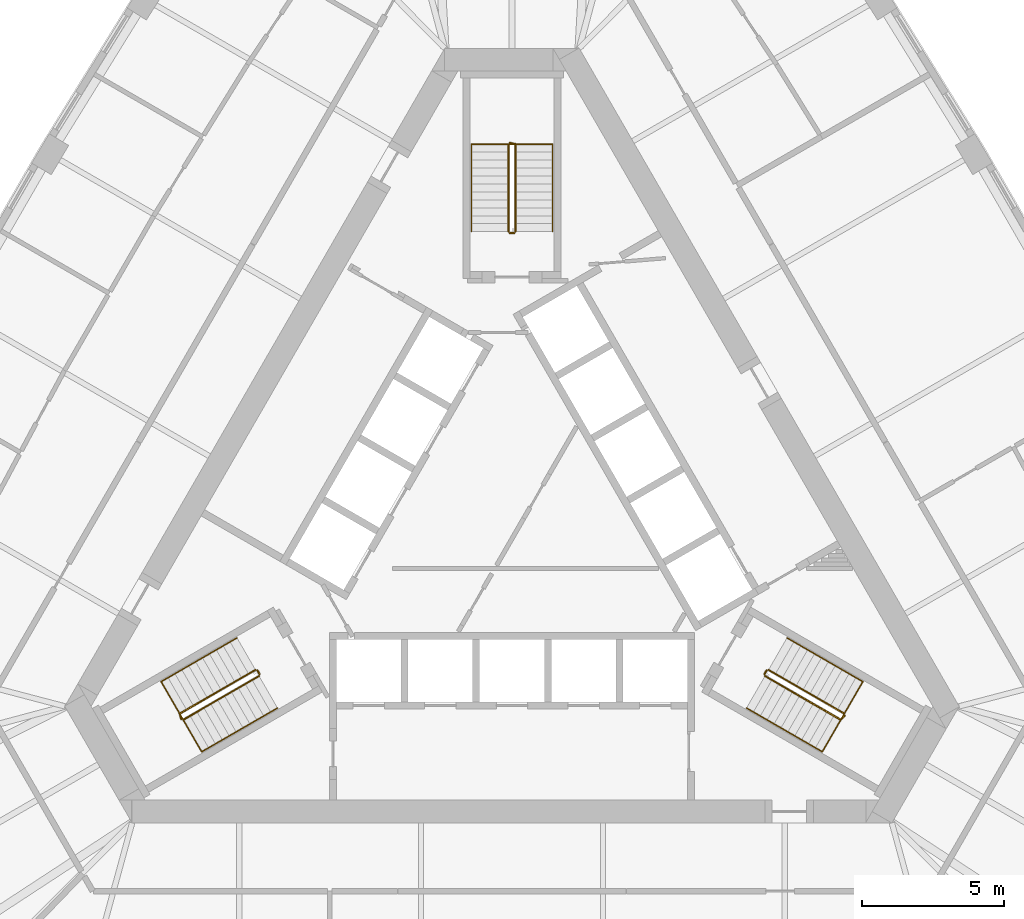
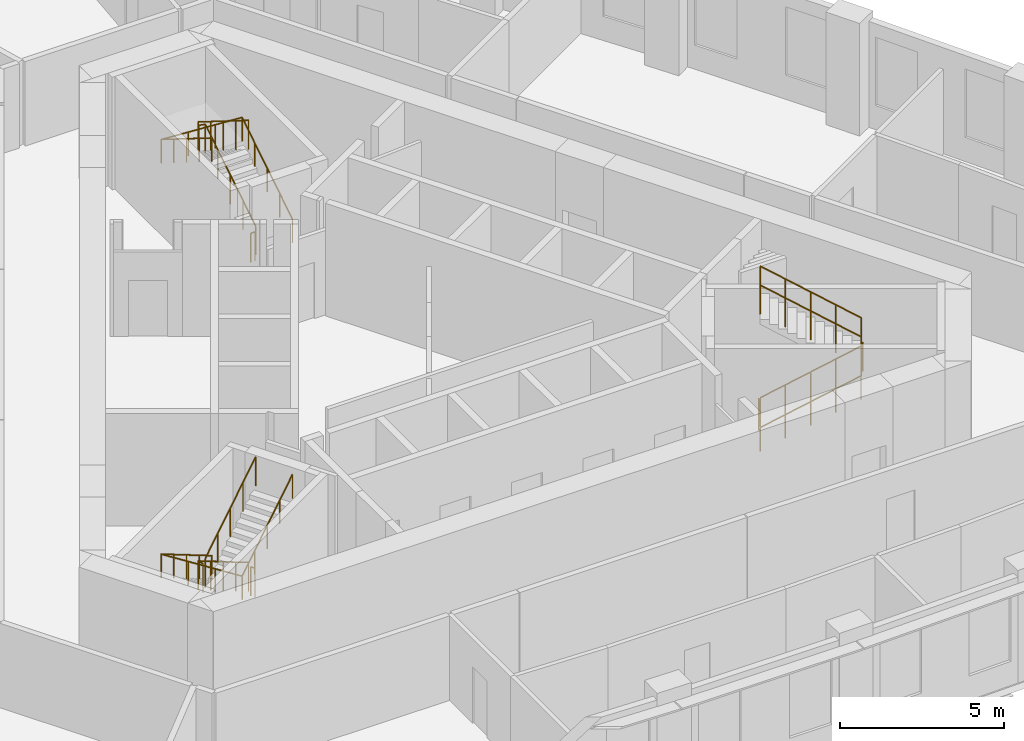
# One storey, part 11 of 11: 12 railings.
"""IFC4 building model written with IfcOpenShell, lengths in metres."""

from ifc_helpers import new_model, si_unit, direction, frame, origin, origin_2d, place, context, subcontext, project, spatial, circle, extrude, material, type_object, element, save


model = new_model("IFC4")

# Units and contexts
model_context = context("Model", 3, precision=1e-05, world=origin(), true_north=direction((0.0, 1.0)))
body_context = subcontext(model_context, "Body", "Model", "MODEL_VIEW")
ifc_project = project(units=[si_unit("LENGTHUNIT", "METRE"), si_unit("AREAUNIT", "SQUARE_METRE"), si_unit("VOLUMEUNIT", "CUBIC_METRE"), si_unit("PLANEANGLEUNIT", "RADIAN"), si_unit("MASSUNIT", "GRAM", prefix="KILO")], contexts=[model_context])

# Site, building, storey
site_placement = place(None, origin())
site = spatial("IfcSite", under=ifc_project, at=site_placement, CompositionType="ELEMENT")
building_placement = place(site_placement, origin())
building = spatial("IfcBuilding", under=site, at=building_placement, Name="Mestral Congress Tower", CompositionType="ELEMENT")
storey_placement = place(building_placement, frame((0.0, 0.0, 175.199951171875)))
storey = spatial("IfcBuildingStorey", under=building, at=storey_placement, Name="L41", CompositionType="ELEMENT", Elevation=175.199951171875)

# Railings
ifc_material_1 = material(Name="Steel balustrade", Category="steel")
railing_type_1 = type_object("IfcRailingType", Name="Stair guard 1100", PredefinedType="GUARDRAIL", material=ifc_material_1)
railing_1_placement = place(storey_placement, frame((8.90087890625, -5.283203125, 0.175048828125)))
element("IfcRailing", 1, at=railing_1_placement, inside=storey, type_object=railing_type_1, Name="L41 ST1 stair guard 1", PredefinedType="GUARDRAIL", context=body_context, shape_type="SweptSolid", body=[
    extrude(circle(Radius=0.02392578125, at=origin_2d()), frame((0.0, 0.0, 1.076171875), z_axis=(0.734364028329, -0.424015404183, 0.530019255228), x_axis=(0.500026652407, 0.866010015463, 0.0)), (0.0, 0.0, 1.0), 3.632080078125),
    extrude(circle(Radius=0.02392578125, at=origin_2d()), frame((2.667236328125, -1.5400390625, 3.0009765625), z_axis=(0.695164929852, 0.718850276695, 0.0), x_axis=(-0.718850276695, 0.695164929852, 0.0)), (0.0, 0.0, 1.0), 0.2060546875),
    extrude(circle(Radius=0.02099609375, at=origin_2d()), origin(), (0.0, 0.0, 1.0), 1.052001953125),
    extrude(circle(Radius=0.02099609375, at=origin_2d()), frame((0.666748046875, -0.385009765625, 0.481201171875)), (0.0, 0.0, 1.0), 1.052001953125),
    extrude(circle(Radius=0.02099609375, at=origin_2d()), frame((1.33349609375, -0.77001953125, 0.96240234375)), (0.0, 0.0, 1.0), 1.052001953125),
    extrude(circle(Radius=0.02099609375, at=origin_2d()), frame((2.00048828125, -1.155029296875, 1.44384765625)), (0.0, 0.0, 1.0), 1.052001953125),
    extrude(circle(Radius=0.02099609375, at=origin_2d()), frame((2.667236328125, -1.5400390625, 1.925048828125)), (0.0, 0.0, 1.0), 1.052001953125),
    extrude(circle(Radius=0.02099609375, at=origin_2d()), frame((2.810546875, -1.391845703125, 1.925048828125)), (0.0, 0.0, 1.0), 1.052001953125),
])
railing_2_placement = place(storey_placement, frame((11.693115234375, -6.606689453125, 2.275146484375)))
element("IfcRailing", 2, at=railing_2_placement, inside=storey, type_object=railing_type_1, Name="L41 ST1 stair guard 2", PredefinedType="GUARDRAIL", context=body_context, shape_type="SweptSolid", body=[
    extrude(circle(Radius=0.02392578125, at=origin_2d()), frame((0.0, 0.0, 1.076171875), z_axis=(-0.734390191396, 0.42403051051, 0.529970917068), x_axis=(-0.500026652407, -0.866010015463, 0.0)), (0.0, 0.0, 1.0), 3.6318359375),
    extrude(circle(Radius=0.02099609375, at=origin_2d()), origin(), (0.0, 0.0, 1.0), 1.052001953125),
    extrude(circle(Radius=0.02099609375, at=origin_2d()), frame((-0.666748046875, 0.385009765625, 0.481201171875)), (0.0, 0.0, 1.0), 1.052001953125),
    extrude(circle(Radius=0.02099609375, at=origin_2d()), frame((-1.33349609375, 0.77001953125, 0.96240234375)), (0.0, 0.0, 1.0), 1.052001953125),
    extrude(circle(Radius=0.02099609375, at=origin_2d()), frame((-2.00048828125, 1.155029296875, 1.443603515625)), (0.0, 0.0, 1.0), 1.052001953125),
    extrude(circle(Radius=0.02099609375, at=origin_2d()), frame((-2.667236328125, 1.5400390625, 1.9248046875)), (0.0, 0.0, 1.0), 1.052001953125),
])
railing_3_placement = place(storey_placement, frame((8.882568359375, -5.21484375, 0.0)))
element("IfcRailing", 3, at=railing_3_placement, inside=storey, type_object=railing_type_1, Name="L41 ST1 stair guard 3", PredefinedType="GUARDRAIL", context=body_context, shape_type="SweptSolid", body=[
    extrude(circle(Radius=0.02392578125, at=origin_2d()), frame((0.0, 0.0, 1.076171875), z_axis=(0.499816412211, 0.866131372301, 0.0), x_axis=(-0.866131372301, 0.499816412211, 0.0)), (0.0, 0.0, 1.0), 0.14990234375),
    extrude(circle(Radius=0.02099609375, at=origin_2d()), origin(), (0.0, 0.0, 1.0), 1.052001953125),
    extrude(circle(Radius=0.02099609375, at=origin_2d()), frame((0.074951171875, 0.1298828125, 0.0)), (0.0, 0.0, 1.0), 1.052001953125),
])
railing_4_placement = place(storey_placement, frame((0.125, 10.35009765625, 0.175048828125)))
element("IfcRailing", 4, at=railing_4_placement, inside=storey, type_object=railing_type_1, Name="L41 ST2 stair guard 1", PredefinedType="GUARDRAIL", context=body_context, shape_type="SweptSolid", body=[
    extrude(circle(Radius=0.02392578125, at=origin_2d()), frame((0.0, 0.0, 1.076171875), z_axis=(0.0, 0.847979421464, 0.530029150871), x_axis=(-1.0, 0.0, 0.0)), (0.0, 0.0, 1.0), 3.632080078125),
    extrude(circle(Radius=0.02392578125, at=origin_2d()), frame((0.0, 3.079833984375, 3.0009765625), z_axis=(-0.970072785993, 0.242814311512, 0.0), x_axis=(-0.242814311512, -0.970072785993, 0.0)), (0.0, 0.0, 1.0), 0.2060546875),
    extrude(circle(Radius=0.02099609375, at=origin_2d()), origin(), (0.0, 0.0, 1.0), 1.052001953125),
    extrude(circle(Radius=0.02099609375, at=origin_2d()), frame((0.0, 0.77001953125, 0.481201171875)), (0.0, 0.0, 1.0), 1.052001953125),
    extrude(circle(Radius=0.02099609375, at=origin_2d()), frame((0.0, 1.5400390625, 0.96240234375)), (0.0, 0.0, 1.0), 1.052001953125),
    extrude(circle(Radius=0.02099609375, at=origin_2d()), frame((0.0, 2.309814453125, 1.44384765625)), (0.0, 0.0, 1.0), 1.052001953125),
    extrude(circle(Radius=0.02099609375, at=origin_2d()), frame((0.0, 3.079833984375, 1.925048828125)), (0.0, 0.0, 1.0), 1.052001953125),
    extrude(circle(Radius=0.02099609375, at=origin_2d()), frame((-0.199951171875, 3.1298828125, 1.925048828125)), (0.0, 0.0, 1.0), 1.052001953125),
])
railing_5_placement = place(storey_placement, frame((-0.125, 13.429931640625, 2.275146484375)))
element("IfcRailing", 5, at=railing_5_placement, inside=storey, type_object=railing_type_1, Name="L41 ST2 stair guard 2", PredefinedType="GUARDRAIL", context=body_context, shape_type="SweptSolid", body=[
    extrude(circle(Radius=0.02392578125, at=origin_2d()), frame((0.0, 0.0, 1.076171875), z_axis=(0.0, -0.848009633417, 0.529980812513), x_axis=(1.0, 0.0, 0.0)), (0.0, 0.0, 1.0), 3.6318359375),
    extrude(circle(Radius=0.02099609375, at=origin_2d()), origin(), (0.0, 0.0, 1.0), 1.052001953125),
    extrude(circle(Radius=0.02099609375, at=origin_2d()), frame((0.0, -0.77001953125, 0.481201171875)), (0.0, 0.0, 1.0), 1.052001953125),
    extrude(circle(Radius=0.02099609375, at=origin_2d()), frame((0.0, -1.5400390625, 0.96240234375)), (0.0, 0.0, 1.0), 1.052001953125),
    extrude(circle(Radius=0.02099609375, at=origin_2d()), frame((0.0, -2.309814453125, 1.443603515625)), (0.0, 0.0, 1.0), 1.052001953125),
    extrude(circle(Radius=0.02099609375, at=origin_2d()), frame((0.0, -3.079833984375, 1.9248046875)), (0.0, 0.0, 1.0), 1.052001953125),
])
railing_6_placement = place(storey_placement, frame((0.074951171875, 10.300048828125, 0.0)))
element("IfcRailing", 6, at=railing_6_placement, inside=storey, type_object=railing_type_1, Name="L41 ST2 stair guard 3", PredefinedType="GUARDRAIL", context=body_context, shape_type="SweptSolid", body=[
    extrude(circle(Radius=0.02392578125, at=origin_2d()), frame((0.0, 0.0, 1.076171875), z_axis=(-1.0, 0.0, 0.0), x_axis=(0.0, -1.0, 0.0)), (0.0, 0.0, 1.0), 0.14990234375),
    extrude(circle(Radius=0.02099609375, at=origin_2d()), origin(), (0.0, 0.0, 1.0), 1.052001953125),
    extrude(circle(Radius=0.02099609375, at=origin_2d()), frame((-0.14990234375, 0.0, 0.0)), (0.0, 0.0, 1.0), 1.052001953125),
])
railing_7_placement = place(storey_placement, frame((-9.02587890625, -5.066650390625, 0.175048828125)))
element("IfcRailing", 7, at=railing_7_placement, inside=storey, type_object=railing_type_1, Name="L41 ST3 stair guard 1", PredefinedType="GUARDRAIL", context=body_context, shape_type="SweptSolid", body=[
    extrude(circle(Radius=0.02392578125, at=origin_2d()), frame((0.0, 0.0, 1.076171875), z_axis=(-0.734364028329, -0.424015404183, 0.530019255228), x_axis=(0.500026652407, -0.866010015463, 0.0)), (0.0, 0.0, 1.0), 3.632080078125),
    extrude(circle(Radius=0.02392578125, at=origin_2d()), frame((-2.667236328125, -1.5400390625, 3.0009765625), z_axis=(0.274721127897, -0.961523947641, 0.0), x_axis=(0.961523947641, 0.274721127897, 0.0)), (0.0, 0.0, 1.0), 0.2060546875),
    extrude(circle(Radius=0.02099609375, at=origin_2d()), origin(), (0.0, 0.0, 1.0), 1.052001953125),
    extrude(circle(Radius=0.02099609375, at=origin_2d()), frame((-0.666748046875, -0.385009765625, 0.481201171875)), (0.0, 0.0, 1.0), 1.052001953125),
    extrude(circle(Radius=0.02099609375, at=origin_2d()), frame((-1.33349609375, -0.77001953125, 0.96240234375)), (0.0, 0.0, 1.0), 1.052001953125),
    extrude(circle(Radius=0.02099609375, at=origin_2d()), frame((-2.00048828125, -1.155029296875, 1.44384765625)), (0.0, 0.0, 1.0), 1.052001953125),
    extrude(circle(Radius=0.02099609375, at=origin_2d()), frame((-2.667236328125, -1.5400390625, 1.925048828125)), (0.0, 0.0, 1.0), 1.052001953125),
    extrude(circle(Radius=0.02099609375, at=origin_2d()), frame((-2.610595703125, -1.73828125, 1.925048828125)), (0.0, 0.0, 1.0), 1.052001953125),
])
railing_8_placement = place(storey_placement, frame((-11.568115234375, -6.8232421875, 2.275146484375)))
element("IfcRailing", 8, at=railing_8_placement, inside=storey, type_object=railing_type_1, Name="L41 ST3 stair guard 2", PredefinedType="GUARDRAIL", context=body_context, shape_type="SweptSolid", body=[
    extrude(circle(Radius=0.02392578125, at=origin_2d()), frame((0.0, 0.0, 1.076171875), z_axis=(0.734390191396, 0.42403051051, 0.529970917068), x_axis=(-0.500026652407, 0.866010015463, 0.0)), (0.0, 0.0, 1.0), 3.6318359375),
    extrude(circle(Radius=0.02099609375, at=origin_2d()), origin(), (0.0, 0.0, 1.0), 1.052001953125),
    extrude(circle(Radius=0.02099609375, at=origin_2d()), frame((0.666748046875, 0.385009765625, 0.481201171875)), (0.0, 0.0, 1.0), 1.052001953125),
    extrude(circle(Radius=0.02099609375, at=origin_2d()), frame((1.33349609375, 0.77001953125, 0.96240234375)), (0.0, 0.0, 1.0), 1.052001953125),
    extrude(circle(Radius=0.02099609375, at=origin_2d()), frame((2.00048828125, 1.155029296875, 1.443603515625)), (0.0, 0.0, 1.0), 1.052001953125),
    extrude(circle(Radius=0.02099609375, at=origin_2d()), frame((2.667236328125, 1.5400390625, 1.9248046875)), (0.0, 0.0, 1.0), 1.052001953125),
])
railing_9_placement = place(storey_placement, frame((-8.95751953125, -5.0849609375, 0.0)))
element("IfcRailing", 9, at=railing_9_placement, inside=storey, type_object=railing_type_1, Name="L41 ST3 stair guard 3", PredefinedType="GUARDRAIL", context=body_context, shape_type="SweptSolid", body=[
    extrude(circle(Radius=0.02392578125, at=origin_2d()), frame((0.0, 0.0, 1.076171875), z_axis=(0.499816412211, -0.866131372301, 0.0), x_axis=(0.866131372301, 0.499816412211, 0.0)), (0.0, 0.0, 1.0), 0.14990234375),
    extrude(circle(Radius=0.02099609375, at=origin_2d()), origin(), (0.0, 0.0, 1.0), 1.052001953125),
    extrude(circle(Radius=0.02099609375, at=origin_2d()), frame((0.074951171875, -0.1298828125, 0.0)), (0.0, 0.0, 1.0), 1.052001953125),
])
ifc_material_2 = material(Name="Steel handrail", Category="steel")
railing_type_2 = type_object("IfcRailingType", Name="Stair handrail 900", PredefinedType="HANDRAIL", material=ifc_material_2)
railing_10_placement = place(storey_placement, frame((8.2509765625, -6.4091796875, 0.175048828125)))
element("IfcRailing", 10, at=railing_10_placement, inside=storey, type_object=railing_type_2, Name="L41 ST1 stair handrail 1", PredefinedType="HANDRAIL", context=body_context, shape_type="SweptSolid", body=[
    extrude(circle(Radius=0.02392578125, at=origin_2d()), frame((0.0, 0.0, 0.8759765625), z_axis=(0.734384958227, -0.423960268333, 0.530034361155), x_axis=(0.499967199496, 0.866044340336, 0.0)), (0.0, 0.0, 1.0), 3.6318359375),
    extrude(circle(Radius=0.02392578125, at=origin_2d()), frame((2.667236328125, -1.539794921875, 2.80078125), z_axis=(0.499095769026, 0.864375386171, 0.061307463833), x_axis=(-0.866004402611, 0.500036373335, 0.0)), (0.0, 0.0, 1.0), 2.855224609375),
    extrude(circle(Radius=0.02392578125, at=origin_2d()), frame((4.09228515625, 0.92822265625, 2.97607421875), z_axis=(-0.734421155904, 0.424009578203, 0.529944755001), x_axis=(-0.499992328818, -0.866029832698, 0.0)), (0.0, 0.0, 1.0), 3.632080078125),
    extrude(circle(Radius=0.02099609375, at=origin_2d()), origin(), (0.0, 0.0, 1.0), 0.851806640625),
    extrude(circle(Radius=0.02099609375, at=origin_2d()), frame((0.666748046875, -0.385009765625, 0.481201171875)), (0.0, 0.0, 1.0), 0.851806640625),
    extrude(circle(Radius=0.02099609375, at=origin_2d()), frame((1.33349609375, -0.77001953125, 0.96240234375)), (0.0, 0.0, 1.0), 0.851806640625),
    extrude(circle(Radius=0.02099609375, at=origin_2d()), frame((2.00048828125, -1.15478515625, 1.44384765625)), (0.0, 0.0, 1.0), 0.851806640625),
    extrude(circle(Radius=0.02099609375, at=origin_2d()), frame((2.667236328125, -1.539794921875, 1.925048828125)), (0.0, 0.0, 1.0), 0.851806640625),
    extrude(circle(Radius=0.02099609375, at=origin_2d()), frame((3.142333984375, -0.717041015625, 1.9833984375)), (0.0, 0.0, 1.0), 0.851806640625),
    extrude(circle(Radius=0.02099609375, at=origin_2d()), frame((3.6171875, 0.10546875, 2.041748046875)), (0.0, 0.0, 1.0), 0.851806640625),
    extrude(circle(Radius=0.02099609375, at=origin_2d()), frame((4.09228515625, 0.92822265625, 2.10009765625)), (0.0, 0.0, 1.0), 0.851806640625),
    extrude(circle(Radius=0.02099609375, at=origin_2d()), frame((3.42529296875, 1.313232421875, 2.581298828125)), (0.0, 0.0, 1.0), 0.851806640625),
    extrude(circle(Radius=0.02099609375, at=origin_2d()), frame((2.758544921875, 1.6982421875, 3.0625)), (0.0, 0.0, 1.0), 0.851806640625),
    extrude(circle(Radius=0.02099609375, at=origin_2d()), frame((2.091796875, 2.083251953125, 3.543701171875)), (0.0, 0.0, 1.0), 0.851806640625),
    extrude(circle(Radius=0.02099609375, at=origin_2d()), frame((1.4248046875, 2.46826171875, 4.02490234375)), (0.0, 0.0, 1.0), 0.851806640625),
])
railing_11_placement = place(storey_placement, frame((1.425048828125, 10.35009765625, 0.175048828125)))
element("IfcRailing", 11, at=railing_11_placement, inside=storey, type_object=railing_type_2, Name="L41 ST2 stair handrail 1", PredefinedType="HANDRAIL", context=body_context, shape_type="SweptSolid", body=[
    extrude(circle(Radius=0.02392578125, at=origin_2d()), frame((0.0, 0.0, 0.8759765625), z_axis=(0.0, 0.847979421464, 0.530029150871), x_axis=(-1.0, 0.0, 0.0)), (0.0, 0.0, 1.0), 3.632080078125),
    extrude(circle(Radius=0.02392578125, at=origin_2d()), frame((0.0, 3.079833984375, 2.80078125), z_axis=(-0.998119201106, 0.0, 0.061303021003), x_axis=(0.0, -1.0, 0.0)), (0.0, 0.0, 1.0), 2.85546875),
    extrude(circle(Radius=0.02392578125, at=origin_2d()), frame((-2.85009765625, 3.079833984375, 2.97607421875), z_axis=(0.0, -0.848009633417, 0.529980812513), x_axis=(1.0, 0.0, 0.0)), (0.0, 0.0, 1.0), 3.6318359375),
    extrude(circle(Radius=0.02099609375, at=origin_2d()), origin(), (0.0, 0.0, 1.0), 0.851806640625),
    extrude(circle(Radius=0.02099609375, at=origin_2d()), frame((0.0, 0.77001953125, 0.481201171875)), (0.0, 0.0, 1.0), 0.851806640625),
    extrude(circle(Radius=0.02099609375, at=origin_2d()), frame((0.0, 1.5400390625, 0.96240234375)), (0.0, 0.0, 1.0), 0.851806640625),
    extrude(circle(Radius=0.02099609375, at=origin_2d()), frame((0.0, 2.309814453125, 1.44384765625)), (0.0, 0.0, 1.0), 0.851806640625),
    extrude(circle(Radius=0.02099609375, at=origin_2d()), frame((0.0, 3.079833984375, 1.925048828125)), (0.0, 0.0, 1.0), 0.851806640625),
    extrude(circle(Radius=0.02099609375, at=origin_2d()), frame((-0.949951171875, 3.079833984375, 1.9833984375)), (0.0, 0.0, 1.0), 0.851806640625),
    extrude(circle(Radius=0.02099609375, at=origin_2d()), frame((-1.900146484375, 3.079833984375, 2.041748046875)), (0.0, 0.0, 1.0), 0.851806640625),
    extrude(circle(Radius=0.02099609375, at=origin_2d()), frame((-2.85009765625, 3.079833984375, 2.10009765625)), (0.0, 0.0, 1.0), 0.851806640625),
    extrude(circle(Radius=0.02099609375, at=origin_2d()), frame((-2.85009765625, 2.309814453125, 2.581298828125)), (0.0, 0.0, 1.0), 0.851806640625),
    extrude(circle(Radius=0.02099609375, at=origin_2d()), frame((-2.85009765625, 1.5400390625, 3.0625)), (0.0, 0.0, 1.0), 0.851806640625),
    extrude(circle(Radius=0.02099609375, at=origin_2d()), frame((-2.85009765625, 0.77001953125, 3.543701171875)), (0.0, 0.0, 1.0), 0.851806640625),
    extrude(circle(Radius=0.02099609375, at=origin_2d()), frame((-2.85009765625, 0.0, 4.02490234375)), (0.0, 0.0, 1.0), 0.851806640625),
])
railing_12_placement = place(storey_placement, frame((-9.67578125, -3.94091796875, 0.175048828125)))
element("IfcRailing", 12, at=railing_12_placement, inside=storey, type_object=railing_type_2, Name="L41 ST3 stair handrail 1", PredefinedType="HANDRAIL", context=body_context, shape_type="SweptSolid", body=[
    extrude(circle(Radius=0.02392578125, at=origin_2d()), frame((0.0, 0.0, 0.8759765625), z_axis=(-0.734394994316, -0.423994474112, 0.52999309264), x_axis=(0.499992328818, -0.866029832698, 0.0)), (0.0, 0.0, 1.0), 3.63232421875),
    extrude(circle(Radius=0.02392578125, at=origin_2d()), frame((-2.66748046875, -1.5400390625, 2.80078125), z_axis=(0.499095769026, -0.864375386171, 0.061307463833), x_axis=(0.866004402611, 0.500036373335, 0.0)), (0.0, 0.0, 1.0), 2.855224609375),
    extrude(circle(Radius=0.02392578125, at=origin_2d()), frame((-1.242431640625, -4.008056640625, 2.97607421875), z_axis=(0.734411123532, 0.423975373557, 0.529986022693), x_axis=(-0.499967199496, 0.866044340336, 0.0)), (0.0, 0.0, 1.0), 3.6318359375),
    extrude(circle(Radius=0.02099609375, at=origin_2d()), origin(), (0.0, 0.0, 1.0), 0.851806640625),
    extrude(circle(Radius=0.02099609375, at=origin_2d()), frame((-0.6669921875, -0.385009765625, 0.481201171875)), (0.0, 0.0, 1.0), 0.851806640625),
    extrude(circle(Radius=0.02099609375, at=origin_2d()), frame((-1.333740234375, -0.77001953125, 0.96240234375)), (0.0, 0.0, 1.0), 0.851806640625),
    extrude(circle(Radius=0.02099609375, at=origin_2d()), frame((-2.00048828125, -1.155029296875, 1.44384765625)), (0.0, 0.0, 1.0), 0.851806640625),
    extrude(circle(Radius=0.02099609375, at=origin_2d()), frame((-2.66748046875, -1.5400390625, 1.925048828125)), (0.0, 0.0, 1.0), 0.851806640625),
    extrude(circle(Radius=0.02099609375, at=origin_2d()), frame((-2.1923828125, -2.36279296875, 1.9833984375)), (0.0, 0.0, 1.0), 0.851806640625),
    extrude(circle(Radius=0.02099609375, at=origin_2d()), frame((-1.717529296875, -3.185302734375, 2.041748046875)), (0.0, 0.0, 1.0), 0.851806640625),
    extrude(circle(Radius=0.02099609375, at=origin_2d()), frame((-1.242431640625, -4.008056640625, 2.10009765625)), (0.0, 0.0, 1.0), 0.851806640625),
    extrude(circle(Radius=0.02099609375, at=origin_2d()), frame((-0.57568359375, -3.623046875, 2.581298828125)), (0.0, 0.0, 1.0), 0.851806640625),
    extrude(circle(Radius=0.02099609375, at=origin_2d()), frame((0.09130859375, -3.23828125, 3.0625)), (0.0, 0.0, 1.0), 0.851806640625),
    extrude(circle(Radius=0.02099609375, at=origin_2d()), frame((0.758056640625, -2.853271484375, 3.543701171875)), (0.0, 0.0, 1.0), 0.851806640625),
    extrude(circle(Radius=0.02099609375, at=origin_2d()), frame((1.4248046875, -2.46826171875, 4.02490234375)), (0.0, 0.0, 1.0), 0.851806640625),
])

save(model, "model.ifc")
